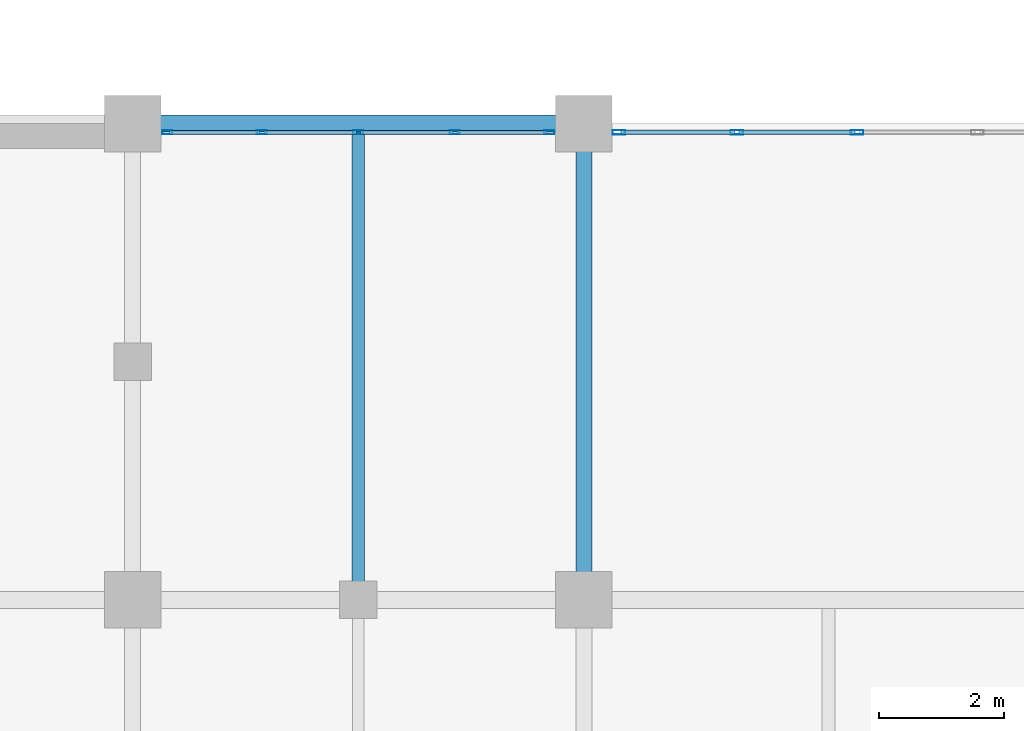
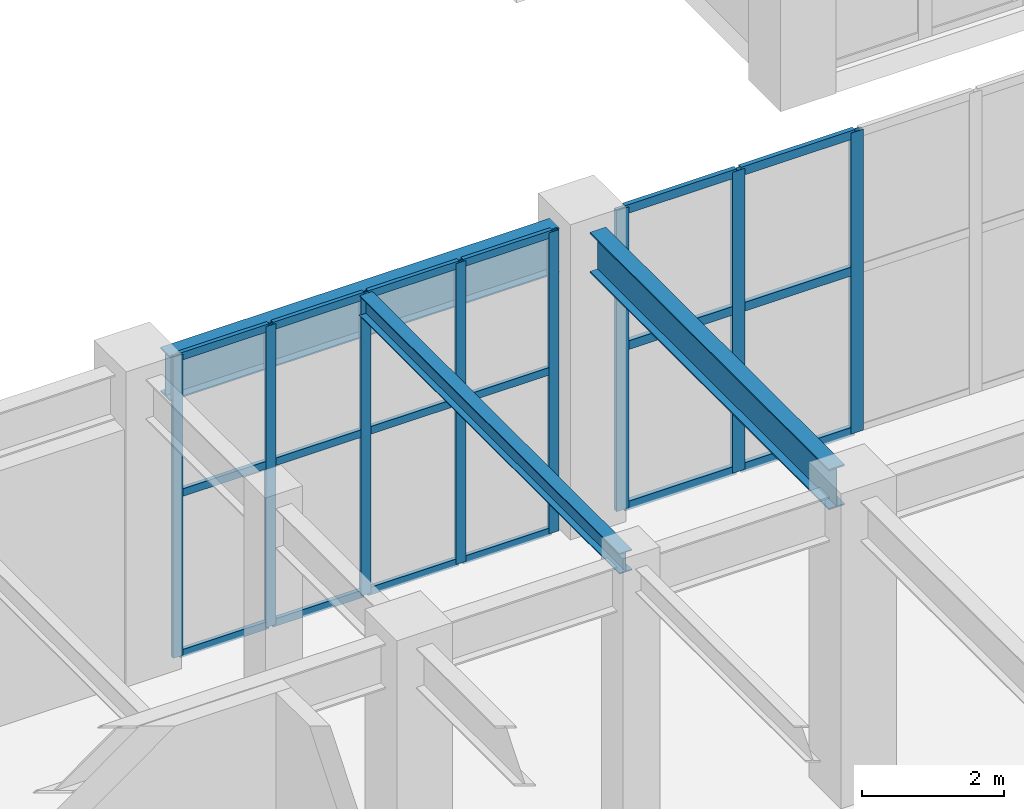
# One storey, part 72 of 139: 26 members, 3 beams, 2 elements without a shape of their own.
"""IFC4 building model written with IfcOpenShell, lengths in metres."""

from ifc_helpers import new_model, si_unit, direction, frame, origin, origin_2d, place, context, subcontext, project, spatial, hollow_rectangle, i_section, extrude, material, layer, layer_set, material_profile, profile_set, type_object, element, aggregate, save


model = new_model("IFC4")

# Units and contexts
model_context = context("Model", 3, precision=1e-05, world=origin(), true_north=direction((0.0, 1.0)))
body_context = subcontext(model_context, "Body", "Model", "MODEL_VIEW")
ifc_project = project(units=[si_unit("LENGTHUNIT", "METRE"), si_unit("AREAUNIT", "SQUARE_METRE"), si_unit("VOLUMEUNIT", "CUBIC_METRE"), si_unit("PLANEANGLEUNIT", "RADIAN"), si_unit("MASSUNIT", "GRAM", prefix="KILO")], contexts=[model_context])

# Site, building, storey
site_placement = place(None, origin())
site = spatial("IfcSite", under=ifc_project, at=site_placement, CompositionType="ELEMENT")
building_placement = place(site_placement, origin())
building = spatial("IfcBuilding", under=site, at=building_placement, Name="Xicomal Pleat Aquarium", CompositionType="ELEMENT")
storey_placement = place(building_placement, origin())
storey = spatial("IfcBuildingStorey", under=building, at=storey_placement, Name="L01", CompositionType="ELEMENT", Elevation=0.0)

# Beams
ifc_material_1 = material(Name="Structural steel A992 Gr 50", Category="steel")
ifc_material_profile_1 = material_profile(ifc_material_1, i_section(OverallWidth=0.205078125, OverallDepth=0.35400390625, WebThickness=0.009521484375, FlangeThickness=0.016845703125, at=origin_2d()), Name="IR 360x79")
ifc_profile_set_1 = profile_set([ifc_material_profile_1], Name="Structural steel A992 Gr 50")
beam_type_1 = type_object("IfcBeamType", Name="BM-STL-IR360", PredefinedType="JOIST", material=ifc_profile_set_1)
beam_1_placement = place(storey_placement, frame((114.60009765625, 60.93701171875, 4.98291015625), z_axis=(0.0, 1.0, 0.0), x_axis=(-1.0, 0.0, 0.0)))
element("IfcBeam", 1, at=beam_1_placement, inside=storey, type_object=beam_type_1, Name="L01 framing beam FBJ-L01-14-J-1", PredefinedType="JOIST", context=body_context, shape_type="SweptSolid", body=[
    extrude(i_section(OverallWidth=0.205078125, OverallDepth=0.35400390625, WebThickness=0.009521484375, FlangeThickness=0.016845703125, at=origin_2d()), origin(), (0.0, 0.0, 1.0), 7.325927734375),
])
ifc_material_2 = material(Name="Structural steel A992 Gr 50", Category="steel")
ifc_material_profile_2 = material_profile(ifc_material_2, i_section(OverallWidth=0.256103515625, OverallDepth=0.693115234375, WebThickness=0.014404296875, FlangeThickness=0.023681640625, at=origin_2d()), Name="IR 690x170")
ifc_profile_set_2 = profile_set([ifc_material_profile_2], Name="Structural steel A992 Gr 50")
beam_type_2 = type_object("IfcBeamType", Name="BM-STL-IR690", PredefinedType="BEAM", material=ifc_profile_set_2)
beam_2_placement = place(storey_placement, frame((118.199951171875, 61.2451171875, 4.8134765625), z_axis=(0.0, 1.0, 0.0), x_axis=(-1.0, 0.0, 0.0)))
element("IfcBeam", 2, at=beam_2_placement, inside=storey, type_object=beam_type_2, Name="L01 framing beam FGY-L01-15-J-K", PredefinedType="BEAM", context=body_context, shape_type="SweptSolid", body=[
    extrude(i_section(OverallWidth=0.256103515625, OverallDepth=0.693115234375, WebThickness=0.014404296875, FlangeThickness=0.023681640625, at=origin_2d()), origin(), (0.0, 0.0, 1.0), 6.7099609375),
])
ifc_material_3 = material(Name="Structural steel A992 Gr 50", Category="steel")
ifc_material_profile_3 = material_profile(ifc_material_3, i_section(OverallWidth=0.26806640625, OverallDepth=0.77001953125, WebThickness=0.015625, FlangeThickness=0.025390625, at=origin_2d()), Name="IR 760x196")
ifc_profile_set_3 = profile_set([ifc_material_profile_3], Name="Structural steel A992 Gr 50")
beam_type_3 = type_object("IfcBeamType", Name="BM-STL-IR760", PredefinedType="BEAM", material=ifc_profile_set_3)
beam_3_placement = place(storey_placement, frame((111.445068359375, 68.39990234375, 4.77490234375), z_axis=(1.0, 0.0, 0.0), x_axis=(0.0, 1.0, 0.0)))
element("IfcBeam", 3, at=beam_3_placement, inside=storey, type_object=beam_type_3, Name="L01 framing beam FGX-L01-14-15-K", PredefinedType="BEAM", context=body_context, shape_type="SweptSolid", body=[
    extrude(i_section(OverallWidth=0.26806640625, OverallDepth=0.77001953125, WebThickness=0.015625, FlangeThickness=0.025390625, at=origin_2d()), origin(), (0.0, 0.0, 1.0), 6.309814453125),
])

# Curtain wall, members
ifc_material_4 = material(Name="Bronze anodized aluminium 6063-T6", Category="aluminium")
ifc_layer_1 = layer(ifc_material_4, 0.159912109375)
ifc_layer_set_1 = layer_set([ifc_layer_1], Name="Bronze anodized aluminium 6063-T6")
curtain_wall_type_1 = type_object("IfcCurtainWallType", Name="CW-SYS-01", PredefinedType="NOTDEFINED", material=ifc_layer_set_1)
curtain_wall_1_placement = place(storey_placement, origin())
curtain_wall_1 = element("IfcCurtainWall", 4, at=curtain_wall_1_placement, inside=storey, type_object=curtain_wall_type_1, Name="L01 unitised curtain wall CW-L01-042", PredefinedType="NOTDEFINED")
ifc_material_5 = material(Name="Bronze anodized aluminium 6063-T6", Category="aluminium")
ifc_material_profile_4 = material_profile(ifc_material_5, hollow_rectangle(XDim=0.06494140625, YDim=0.159912109375, WallThickness=0.00390625, at=origin_2d()), Name="ALU MULL 65x160")
ifc_profile_set_4 = profile_set([ifc_material_profile_4], Name="Bronze anodized aluminium 6063-T6")
member_type_1 = type_object("IfcMemberType", Name="CWM-65x160", PredefinedType="MULLION", material=ifc_profile_set_4)
member_1_placement = place(storey_placement, frame((111.552490234375, 68.260009765625, 0.0), z_axis=(0.0, 0.0, 1.0), x_axis=(0.0, 1.0, 0.0)))
member_1 = element("IfcMember", 5, at=member_1_placement, type_object=member_type_1, Name="CW-01 mullion 1", PredefinedType="MULLION", context=body_context, shape_type="SweptSolid", body=[
    extrude(hollow_rectangle(XDim=0.06494140625, YDim=0.159912109375, WallThickness=0.00390625, at=origin_2d()), origin(), (0.0, 0.0, 1.0), 5.159912109375),
])
member_2_placement = place(storey_placement, frame((113.06005859375, 68.260009765625, 0.0), z_axis=(0.0, 0.0, 1.0), x_axis=(0.0, 1.0, 0.0)))
member_2 = element("IfcMember", 6, at=member_2_placement, type_object=member_type_1, Name="CW-01 mullion 2", PredefinedType="MULLION", context=body_context, shape_type="SweptSolid", body=[
    extrude(hollow_rectangle(XDim=0.06494140625, YDim=0.159912109375, WallThickness=0.00390625, at=origin_2d()), origin(), (0.0, 0.0, 1.0), 5.159912109375),
])
member_3_placement = place(storey_placement, frame((114.60009765625, 68.260009765625, 0.0), z_axis=(0.0, 0.0, 1.0), x_axis=(0.0, 1.0, 0.0)))
member_3 = element("IfcMember", 7, at=member_3_placement, type_object=member_type_1, Name="CW-01 mullion 3", PredefinedType="MULLION", context=body_context, shape_type="SweptSolid", body=[
    extrude(hollow_rectangle(XDim=0.06494140625, YDim=0.159912109375, WallThickness=0.00390625, at=origin_2d()), origin(), (0.0, 0.0, 1.0), 5.159912109375),
])
member_4_placement = place(storey_placement, frame((116.139892578125, 68.260009765625, 0.0), z_axis=(0.0, 0.0, 1.0), x_axis=(0.0, 1.0, 0.0)))
member_4 = element("IfcMember", 8, at=member_4_placement, type_object=member_type_1, Name="CW-01 mullion 4", PredefinedType="MULLION", context=body_context, shape_type="SweptSolid", body=[
    extrude(hollow_rectangle(XDim=0.06494140625, YDim=0.159912109375, WallThickness=0.00390625, at=origin_2d()), origin(), (0.0, 0.0, 1.0), 5.159912109375),
])
member_5_placement = place(storey_placement, frame((117.6474609375, 68.260009765625, 0.0), z_axis=(0.0, 0.0, 1.0), x_axis=(0.0, 1.0, 0.0)))
member_5 = element("IfcMember", 9, at=member_5_placement, type_object=member_type_1, Name="CW-01 mullion 5", PredefinedType="MULLION", context=body_context, shape_type="SweptSolid", body=[
    extrude(hollow_rectangle(XDim=0.06494140625, YDim=0.159912109375, WallThickness=0.00390625, at=origin_2d()), origin(), (0.0, 0.0, 1.0), 5.159912109375),
])

ifc_material_6 = material(Name="Bronze anodized aluminium 6063-T6", Category="aluminium")
ifc_layer_2 = layer(ifc_material_6, 0.159912109375)
ifc_layer_set_2 = layer_set([ifc_layer_2], Name="Bronze anodized aluminium 6063-T6")
curtain_wall_type_2 = type_object("IfcCurtainWallType", Name="CW-SYS-06", PredefinedType="NOTDEFINED", material=ifc_layer_set_2)
curtain_wall_2_placement = place(storey_placement, origin())
curtain_wall_2 = element("IfcCurtainWall", 10, at=curtain_wall_2_placement, inside=storey, type_object=curtain_wall_type_2, Name="L01 unitised curtain wall CW-L01-043", PredefinedType="NOTDEFINED")
ifc_material_7 = material(Name="Bronze anodized aluminium 6063-T6", Category="aluminium")
ifc_material_profile_5 = material_profile(ifc_material_7, hollow_rectangle(XDim=0.074951171875, YDim=0.199951171875, WallThickness=0.00439453125, at=origin_2d()), Name="ALU MULL 75x200")
ifc_profile_set_5 = profile_set([ifc_material_profile_5], Name="Bronze anodized aluminium 6063-T6")
member_type_2 = type_object("IfcMemberType", Name="CWM-75x200", PredefinedType="MULLION", material=ifc_profile_set_5)
member_6_placement = place(storey_placement, frame((118.757568359375, 68.260009765625, 0.0), z_axis=(0.0, 0.0, 1.0), x_axis=(0.0, 1.0, 0.0)))
member_6 = element("IfcMember", 11, at=member_6_placement, type_object=member_type_2, Name="CW-06 mullion 1", PredefinedType="MULLION", context=body_context, shape_type="SweptSolid", body=[
    extrude(hollow_rectangle(XDim=0.074951171875, YDim=0.199951171875, WallThickness=0.00439453125, at=origin_2d()), origin(), (0.0, 0.0, 1.0), 5.159912109375),
])
member_7_placement = place(storey_placement, frame((120.639892578125, 68.260009765625, 0.0), z_axis=(0.0, 0.0, 1.0), x_axis=(0.0, 1.0, 0.0)))
member_7 = element("IfcMember", 12, at=member_7_placement, type_object=member_type_2, Name="CW-06 mullion 2", PredefinedType="MULLION", context=body_context, shape_type="SweptSolid", body=[
    extrude(hollow_rectangle(XDim=0.074951171875, YDim=0.199951171875, WallThickness=0.00439453125, at=origin_2d()), origin(), (0.0, 0.0, 1.0), 5.159912109375),
])
member_8_placement = place(storey_placement, frame((122.56005859375, 68.260009765625, 0.0), z_axis=(0.0, 0.0, 1.0), x_axis=(0.0, 1.0, 0.0)))
member_8 = element("IfcMember", 13, at=member_8_placement, type_object=member_type_2, Name="CW-06 mullion 3", PredefinedType="MULLION", context=body_context, shape_type="SweptSolid", body=[
    extrude(hollow_rectangle(XDim=0.074951171875, YDim=0.199951171875, WallThickness=0.00439453125, at=origin_2d()), origin(), (0.0, 0.0, 1.0), 5.159912109375),
])

# Member
ifc_material_8 = material(Name="Bronze anodized aluminium 6063-T6", Category="aluminium")
ifc_material_profile_6 = material_profile(ifc_material_8, hollow_rectangle(XDim=0.06494140625, YDim=0.1298828125, WallThickness=0.00390625, at=origin_2d()), Name="ALU TRAN 65x130")
ifc_profile_set_6 = profile_set([ifc_material_profile_6], Name="Bronze anodized aluminium 6063-T6")
member_type_3 = type_object("IfcMemberType", Name="CWT-65x130", PredefinedType="USERDEFINED", material=ifc_profile_set_6)
member_9_placement = place(storey_placement, frame((111.5849609375, 68.260009765625, 0.032470703125), z_axis=(1.0, 0.0, 0.0), x_axis=(0.0, 1.0, 0.0)))
member_9 = element("IfcMember", 14, at=member_9_placement, type_object=member_type_3, Name="CW-01 transom 1.1", ObjectType="TRANSOM", PredefinedType="USERDEFINED", context=body_context, shape_type="SweptSolid", body=[
    extrude(hollow_rectangle(XDim=0.06494140625, YDim=0.1298828125, WallThickness=0.00390625, at=origin_2d()), origin(), (0.0, 0.0, 1.0), 1.442626953125),
])

member_10_placement = place(storey_placement, frame((111.5849609375, 68.260009765625, 2.785888671875), z_axis=(1.0, 0.0, 0.0), x_axis=(0.0, 1.0, 0.0)))
member_10 = element("IfcMember", 15, at=member_10_placement, type_object=member_type_3, Name="CW-01 transom 1.2", ObjectType="TRANSOM", PredefinedType="USERDEFINED", context=body_context, shape_type="SweptSolid", body=[
    extrude(hollow_rectangle(XDim=0.06494140625, YDim=0.1298828125, WallThickness=0.00390625, at=origin_2d()), origin(), (0.0, 0.0, 1.0), 1.442626953125),
])

member_11_placement = place(storey_placement, frame((111.5849609375, 68.260009765625, 5.12744140625), z_axis=(1.0, 0.0, 0.0), x_axis=(0.0, 1.0, 0.0)))
member_11 = element("IfcMember", 16, at=member_11_placement, type_object=member_type_3, Name="CW-01 transom 1.3", ObjectType="TRANSOM", PredefinedType="USERDEFINED", context=body_context, shape_type="SweptSolid", body=[
    extrude(hollow_rectangle(XDim=0.06494140625, YDim=0.1298828125, WallThickness=0.00390625, at=origin_2d()), origin(), (0.0, 0.0, 1.0), 1.442626953125),
])

member_12_placement = place(storey_placement, frame((113.092529296875, 68.260009765625, 0.032470703125), z_axis=(1.0, 0.0, 0.0), x_axis=(0.0, 1.0, 0.0)))
member_12 = element("IfcMember", 17, at=member_12_placement, type_object=member_type_3, Name="CW-01 transom 2.1", ObjectType="TRANSOM", PredefinedType="USERDEFINED", context=body_context, shape_type="SweptSolid", body=[
    extrude(hollow_rectangle(XDim=0.06494140625, YDim=0.1298828125, WallThickness=0.00390625, at=origin_2d()), origin(), (0.0, 0.0, 1.0), 1.474853515625),
])

member_13_placement = place(storey_placement, frame((113.092529296875, 68.260009765625, 2.785888671875), z_axis=(1.0, 0.0, 0.0), x_axis=(0.0, 1.0, 0.0)))
member_13 = element("IfcMember", 18, at=member_13_placement, type_object=member_type_3, Name="CW-01 transom 2.2", ObjectType="TRANSOM", PredefinedType="USERDEFINED", context=body_context, shape_type="SweptSolid", body=[
    extrude(hollow_rectangle(XDim=0.06494140625, YDim=0.1298828125, WallThickness=0.00390625, at=origin_2d()), origin(), (0.0, 0.0, 1.0), 1.474853515625),
])

member_14_placement = place(storey_placement, frame((113.092529296875, 68.260009765625, 5.12744140625), z_axis=(1.0, 0.0, 0.0), x_axis=(0.0, 1.0, 0.0)))
member_14 = element("IfcMember", 19, at=member_14_placement, type_object=member_type_3, Name="CW-01 transom 2.3", ObjectType="TRANSOM", PredefinedType="USERDEFINED", context=body_context, shape_type="SweptSolid", body=[
    extrude(hollow_rectangle(XDim=0.06494140625, YDim=0.1298828125, WallThickness=0.00390625, at=origin_2d()), origin(), (0.0, 0.0, 1.0), 1.474853515625),
])

member_15_placement = place(storey_placement, frame((114.632568359375, 68.260009765625, 0.032470703125), z_axis=(1.0, 0.0, 0.0), x_axis=(0.0, 1.0, 0.0)))
member_15 = element("IfcMember", 20, at=member_15_placement, type_object=member_type_3, Name="CW-01 transom 3.1", ObjectType="TRANSOM", PredefinedType="USERDEFINED", context=body_context, shape_type="SweptSolid", body=[
    extrude(hollow_rectangle(XDim=0.06494140625, YDim=0.1298828125, WallThickness=0.00390625, at=origin_2d()), origin(), (0.0, 0.0, 1.0), 1.474853515625),
])

member_16_placement = place(storey_placement, frame((114.632568359375, 68.260009765625, 2.785888671875), z_axis=(1.0, 0.0, 0.0), x_axis=(0.0, 1.0, 0.0)))
member_16 = element("IfcMember", 21, at=member_16_placement, type_object=member_type_3, Name="CW-01 transom 3.2", ObjectType="TRANSOM", PredefinedType="USERDEFINED", context=body_context, shape_type="SweptSolid", body=[
    extrude(hollow_rectangle(XDim=0.06494140625, YDim=0.1298828125, WallThickness=0.00390625, at=origin_2d()), origin(), (0.0, 0.0, 1.0), 1.474853515625),
])

member_17_placement = place(storey_placement, frame((114.632568359375, 68.260009765625, 5.12744140625), z_axis=(1.0, 0.0, 0.0), x_axis=(0.0, 1.0, 0.0)))
member_17 = element("IfcMember", 22, at=member_17_placement, type_object=member_type_3, Name="CW-01 transom 3.3", ObjectType="TRANSOM", PredefinedType="USERDEFINED", context=body_context, shape_type="SweptSolid", body=[
    extrude(hollow_rectangle(XDim=0.06494140625, YDim=0.1298828125, WallThickness=0.00390625, at=origin_2d()), origin(), (0.0, 0.0, 1.0), 1.474853515625),
])

member_18_placement = place(storey_placement, frame((116.172607421875, 68.260009765625, 0.032470703125), z_axis=(1.0, 0.0, 0.0), x_axis=(0.0, 1.0, 0.0)))
member_18 = element("IfcMember", 23, at=member_18_placement, type_object=member_type_3, Name="CW-01 transom 4.1", ObjectType="TRANSOM", PredefinedType="USERDEFINED", context=body_context, shape_type="SweptSolid", body=[
    extrude(hollow_rectangle(XDim=0.06494140625, YDim=0.1298828125, WallThickness=0.00390625, at=origin_2d()), origin(), (0.0, 0.0, 1.0), 1.4423828125),
])

member_19_placement = place(storey_placement, frame((116.172607421875, 68.260009765625, 2.785888671875), z_axis=(1.0, 0.0, 0.0), x_axis=(0.0, 1.0, 0.0)))
member_19 = element("IfcMember", 24, at=member_19_placement, type_object=member_type_3, Name="CW-01 transom 4.2", ObjectType="TRANSOM", PredefinedType="USERDEFINED", context=body_context, shape_type="SweptSolid", body=[
    extrude(hollow_rectangle(XDim=0.06494140625, YDim=0.1298828125, WallThickness=0.00390625, at=origin_2d()), origin(), (0.0, 0.0, 1.0), 1.4423828125),
])

member_20_placement = place(storey_placement, frame((116.172607421875, 68.260009765625, 5.12744140625), z_axis=(1.0, 0.0, 0.0), x_axis=(0.0, 1.0, 0.0)))
member_20 = element("IfcMember", 25, at=member_20_placement, type_object=member_type_3, Name="CW-01 transom 4.3", ObjectType="TRANSOM", PredefinedType="USERDEFINED", context=body_context, shape_type="SweptSolid", body=[
    extrude(hollow_rectangle(XDim=0.06494140625, YDim=0.1298828125, WallThickness=0.00390625, at=origin_2d()), origin(), (0.0, 0.0, 1.0), 1.4423828125),
])

aggregate(curtain_wall_1, [member_1, member_2, member_3, member_4, member_5, member_9, member_10, member_11, member_12, member_13, member_14, member_15, member_16, member_17, member_18, member_19, member_20])

ifc_material_9 = material(Name="Bronze anodized aluminium 6063-T6", Category="aluminium")
ifc_material_profile_7 = material_profile(ifc_material_9, hollow_rectangle(XDim=0.074951171875, YDim=0.14990234375, WallThickness=0.00439453125, at=origin_2d()), Name="ALU TRAN 75x150")
ifc_profile_set_7 = profile_set([ifc_material_profile_7], Name="Bronze anodized aluminium 6063-T6")
member_type_4 = type_object("IfcMemberType", Name="CWT-75x150", PredefinedType="USERDEFINED", material=ifc_profile_set_7)
member_21_placement = place(storey_placement, frame((118.794921875, 68.260009765625, 0.03759765625), z_axis=(1.0, 0.0, 0.0), x_axis=(0.0, 1.0, 0.0)))
member_21 = element("IfcMember", 26, at=member_21_placement, type_object=member_type_4, Name="CW-06 transom 1.1", ObjectType="TRANSOM", PredefinedType="USERDEFINED", context=body_context, shape_type="SweptSolid", body=[
    extrude(hollow_rectangle(XDim=0.074951171875, YDim=0.14990234375, WallThickness=0.00439453125, at=origin_2d()), origin(), (0.0, 0.0, 1.0), 1.8076171875),
])

member_22_placement = place(storey_placement, frame((118.794921875, 68.260009765625, 2.785888671875), z_axis=(1.0, 0.0, 0.0), x_axis=(0.0, 1.0, 0.0)))
member_22 = element("IfcMember", 27, at=member_22_placement, type_object=member_type_4, Name="CW-06 transom 1.2", ObjectType="TRANSOM", PredefinedType="USERDEFINED", context=body_context, shape_type="SweptSolid", body=[
    extrude(hollow_rectangle(XDim=0.074951171875, YDim=0.14990234375, WallThickness=0.00439453125, at=origin_2d()), origin(), (0.0, 0.0, 1.0), 1.8076171875),
])

member_23_placement = place(storey_placement, frame((118.794921875, 68.260009765625, 5.12255859375), z_axis=(1.0, 0.0, 0.0), x_axis=(0.0, 1.0, 0.0)))
member_23 = element("IfcMember", 28, at=member_23_placement, type_object=member_type_4, Name="CW-06 transom 1.3", ObjectType="TRANSOM", PredefinedType="USERDEFINED", context=body_context, shape_type="SweptSolid", body=[
    extrude(hollow_rectangle(XDim=0.074951171875, YDim=0.14990234375, WallThickness=0.00439453125, at=origin_2d()), origin(), (0.0, 0.0, 1.0), 1.8076171875),
])

member_24_placement = place(storey_placement, frame((120.677490234375, 68.260009765625, 0.03759765625), z_axis=(1.0, 0.0, 0.0), x_axis=(0.0, 1.0, 0.0)))
member_24 = element("IfcMember", 29, at=member_24_placement, type_object=member_type_4, Name="CW-06 transom 2.1", ObjectType="TRANSOM", PredefinedType="USERDEFINED", context=body_context, shape_type="SweptSolid", body=[
    extrude(hollow_rectangle(XDim=0.074951171875, YDim=0.14990234375, WallThickness=0.00439453125, at=origin_2d()), origin(), (0.0, 0.0, 1.0), 1.844970703125),
])

member_25_placement = place(storey_placement, frame((120.677490234375, 68.260009765625, 2.785888671875), z_axis=(1.0, 0.0, 0.0), x_axis=(0.0, 1.0, 0.0)))
member_25 = element("IfcMember", 30, at=member_25_placement, type_object=member_type_4, Name="CW-06 transom 2.2", ObjectType="TRANSOM", PredefinedType="USERDEFINED", context=body_context, shape_type="SweptSolid", body=[
    extrude(hollow_rectangle(XDim=0.074951171875, YDim=0.14990234375, WallThickness=0.00439453125, at=origin_2d()), origin(), (0.0, 0.0, 1.0), 1.844970703125),
])

member_26_placement = place(storey_placement, frame((120.677490234375, 68.260009765625, 5.12255859375), z_axis=(1.0, 0.0, 0.0), x_axis=(0.0, 1.0, 0.0)))
member_26 = element("IfcMember", 31, at=member_26_placement, type_object=member_type_4, Name="CW-06 transom 2.3", ObjectType="TRANSOM", PredefinedType="USERDEFINED", context=body_context, shape_type="SweptSolid", body=[
    extrude(hollow_rectangle(XDim=0.074951171875, YDim=0.14990234375, WallThickness=0.00439453125, at=origin_2d()), origin(), (0.0, 0.0, 1.0), 1.844970703125),
])

aggregate(curtain_wall_2, [member_6, member_7, member_8, member_21, member_22, member_23, member_24, member_25, member_26])

save(model, "model.ifc")
